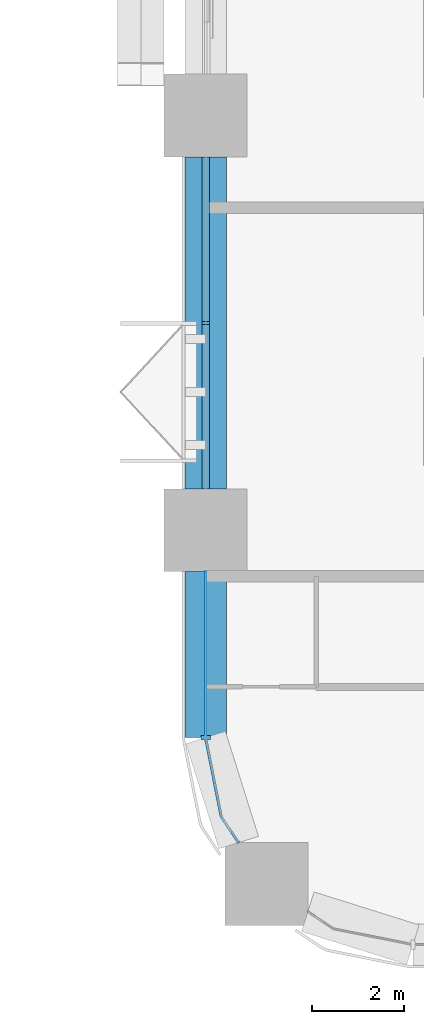
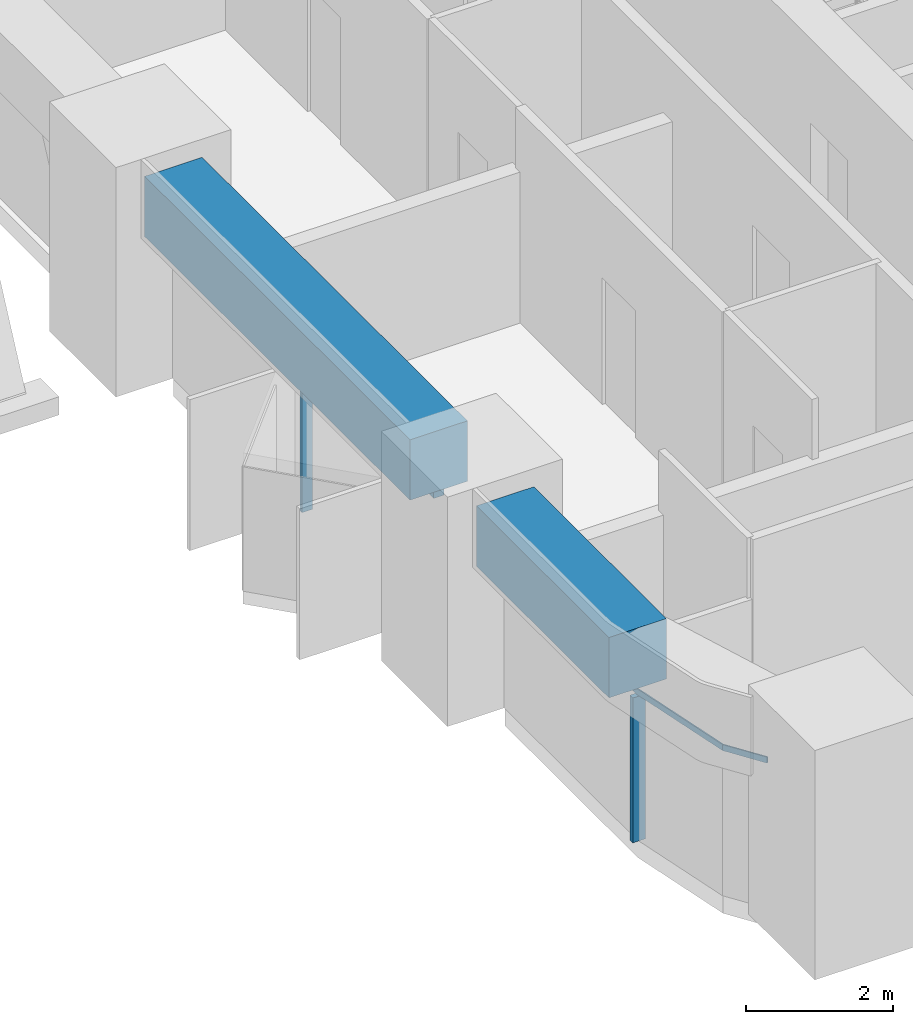
# One storey, part 2 of 19: 4 members, 2 beams, 2 elements without a shape of their own.
"""IFC4 building model written with IfcOpenShell, lengths in metres."""

from ifc_helpers import new_model, si_unit, direction, frame, origin, origin_2d, place, context, subcontext, project, spatial, polyline, rectangle, outline, extrude, material, material_profile, profile_set, type_object, element, aggregate, save


model = new_model("IFC4")

# Units and contexts
model_context = context("Model", 3, precision=1e-05, world=origin(), true_north=direction((0.0, 1.0)))
body_context = subcontext(model_context, "Body", "Model", "MODEL_VIEW")
ifc_project = project(units=[si_unit("LENGTHUNIT", "METRE"), si_unit("AREAUNIT", "SQUARE_METRE"), si_unit("VOLUMEUNIT", "CUBIC_METRE"), si_unit("PLANEANGLEUNIT", "RADIAN"), si_unit("MASSUNIT", "GRAM", prefix="KILO")], contexts=[model_context])

# Site, building, storey
site_placement = place(None, origin())
site = spatial("IfcSite", under=ifc_project, at=site_placement, CompositionType="ELEMENT")
building_placement = place(site_placement, origin())
building = spatial("IfcBuilding", under=site, at=building_placement, Name="Tessera Arch", CompositionType="ELEMENT")
storey_placement = place(building_placement, frame((0.0, 0.0, 108.199951171875)))
storey = spatial("IfcBuildingStorey", under=building, at=storey_placement, Name="L25", CompositionType="ELEMENT", Elevation=108.199951171875)

# Curtain wall, members
ifc_material_1 = material(Name="CW1 curtain wall")
curtain_wall_type_1 = type_object("IfcCurtainWallType", Name="CW1 curtain wall", PredefinedType="NOTDEFINED", material=ifc_material_1)
curtain_wall_1_placement = place(storey_placement, origin())
curtain_wall_1 = element("IfcCurtainWall", 1, at=curtain_wall_1_placement, inside=storey, type_object=curtain_wall_type_1, Name="CW1 curtain wall W27.0/1 L25", PredefinedType="NOTDEFINED")
ifc_material_2 = material(Name="Anodised aluminium pale metal", Category="aluminium")
ifc_material_profile_1 = material_profile(ifc_material_2, rectangle(XDim=0.159912109375, YDim=0.06005859375, at=origin_2d()), Name="AL 60x160")
ifc_profile_set_1 = profile_set([ifc_material_profile_1], Name="Anodised aluminium pale metal")
member_type_1 = type_object("IfcMemberType", Name="CW1 mullion", PredefinedType="MULLION", material=ifc_profile_set_1)
member_1_placement = place(storey_placement, frame((27.0, 13.5, 0.0), z_axis=(0.0, 0.0, 1.0), x_axis=(1.0, 0.0, 0.0)))
member_1 = element("IfcMember", 2, at=member_1_placement, type_object=member_type_1, Name="CW1 mullion W27.0/1 1", PredefinedType="MULLION", context=body_context, shape_type="SweptSolid", body=[
    extrude(rectangle(XDim=0.159912109375, YDim=0.06005859375, at=origin_2d()), origin(), (0.0, 0.0, 1.0), 2.400146484375),
])
ifc_material_3 = material(Name="Anodised aluminium pale metal", Category="aluminium")
ifc_material_profile_2 = material_profile(ifc_material_3, rectangle(XDim=0.159912109375, YDim=0.10009765625, at=origin_2d()), Name="AL 160x100")
ifc_profile_set_2 = profile_set([ifc_material_profile_2], Name="Anodised aluminium pale metal")
member_type_2 = type_object("IfcMemberType", Name="CW1 transom", PredefinedType="USERDEFINED", material=ifc_profile_set_2)
member_2_placement = place(storey_placement, frame((27.0, 17.10009765625, 2.449951171875), z_axis=(0.0, -1.0, 0.0), x_axis=(1.0, 0.0, 0.0)))
member_2 = element("IfcMember", 3, at=member_2_placement, type_object=member_type_2, Name="CW1 transom W27.0/1 1.1", ObjectType="TRANSOM", PredefinedType="USERDEFINED", context=body_context, shape_type="SweptSolid", body=[
    extrude(rectangle(XDim=0.159912109375, YDim=0.10009765625, at=origin_2d()), origin(), (0.0, 0.0, 1.0), 7.2001953125),
])
aggregate(curtain_wall_1, [member_1, member_2])

ifc_material_4 = material(Name="CW2 curtain wall")
curtain_wall_type_2 = type_object("IfcCurtainWallType", Name="CW2 curtain wall", PredefinedType="NOTDEFINED", material=ifc_material_4)
curtain_wall_2_placement = place(storey_placement, origin())
curtain_wall_2 = element("IfcCurtainWall", 4, at=curtain_wall_2_placement, inside=storey, type_object=curtain_wall_type_2, Name="CW2 curtain wall W27.0/2 L25", PredefinedType="NOTDEFINED")
ifc_material_5 = material(Name="Anodised aluminium pale metal", Category="aluminium")
ifc_material_profile_3 = material_profile(ifc_material_5, rectangle(XDim=0.199951171875, YDim=0.080078125, at=origin_2d()), Name="AL 80x200")
ifc_profile_set_3 = profile_set([ifc_material_profile_3], Name="Anodised aluminium pale metal")
member_type_3 = type_object("IfcMemberType", Name="CW2 mullion", PredefinedType="MULLION", material=ifc_profile_set_3)
member_3_placement = place(storey_placement, frame((27.0, 4.5, 0.0), z_axis=(0.0, 0.0, 1.0), x_axis=(1.0, 0.0, 0.0)))
member_3 = element("IfcMember", 5, at=member_3_placement, type_object=member_type_3, Name="CW2 mullion W27.0/2 1", PredefinedType="MULLION", context=body_context, shape_type="SweptSolid", body=[
    extrude(rectangle(XDim=0.199951171875, YDim=0.080078125, at=origin_2d()), origin(), (0.0, 0.0, 1.0), 2.400146484375),
])
ifc_material_6 = material(Name="Anodised aluminium pale metal", Category="aluminium")
ifc_material_profile_4 = material_profile(ifc_material_6, rectangle(XDim=0.199951171875, YDim=0.10009765625, at=origin_2d()), Name="AL 200x100")
ifc_profile_set_4 = profile_set([ifc_material_profile_4], Name="Anodised aluminium pale metal")
member_type_4 = type_object("IfcMemberType", Name="CW2 transom", PredefinedType="USERDEFINED", material=ifc_profile_set_4)
member_4_placement = place(storey_placement, frame((0.0, 0.0, 2.400146484375)))
member_4 = element("IfcMember", 6, at=member_4_placement, type_object=member_type_4, Name="CW2 transom W27.0/2 1", ObjectType="TRANSOM", PredefinedType="USERDEFINED", context=body_context, shape_type="SweptSolid", body=[
    extrude(outline(polyline([(27.010009765625, 4.5009765625), (27.010009765625, 8.10009765625), (26.989990234375, 8.10009765625), (26.989990234375, 4.4990234375), (27.3330078125, 2.77392578125), (27.70849609375, 2.21240234375), (27.72509765625, 2.2236328125), (27.351806640625, 2.78173828125), (27.010009765625, 4.5009765625)])), origin(), (0.0, 0.0, 1.0), 0.099853515625),
])
aggregate(curtain_wall_2, [member_3, member_4])

# Beams
ifc_material_7 = material(Name="Concrete C80/95", Category="concrete")
ifc_material_profile_5 = material_profile(ifc_material_7, rectangle(XDim=0.89990234375, YDim=1.0, at=origin_2d()), Name="RC spandrel beam 900 x 1000 Concrete C80/95")
ifc_profile_set_5 = profile_set([ifc_material_profile_5], Name="Concrete C80/95")
beam_type = type_object("IfcBeamType", Name="RC spandrel beam 900 x 1000 Concrete C80/95", PredefinedType="BEAM", material=ifc_profile_set_5)
beam_1_placement = place(storey_placement, frame((27.0, 17.10009765625, 3.0), z_axis=(0.0, -1.0, 0.0), x_axis=(1.0, 0.0, 0.0)))
element("IfcBeam", 7, at=beam_1_placement, inside=storey, type_object=beam_type, Name="Spandrel beam L25 W27.0/1", PredefinedType="BEAM", context=body_context, shape_type="SweptSolid", body=[
    extrude(rectangle(XDim=0.89990234375, YDim=1.0, at=origin_2d()), origin(), (0.0, 0.0, 1.0), 7.2001953125),
])
beam_2_placement = place(storey_placement, frame((27.0, 8.10009765625, 3.0), z_axis=(0.0, -1.0, 0.0), x_axis=(1.0, 0.0, 0.0)))
element("IfcBeam", 8, at=beam_2_placement, inside=storey, type_object=beam_type, Name="Spandrel beam L25 W27.0/2.1", PredefinedType="BEAM", context=body_context, shape_type="SweptSolid", body=[
    extrude(rectangle(XDim=0.89990234375, YDim=1.0, at=origin_2d()), origin(), (0.0, 0.0, 1.0), 3.60009765625),
])

save(model, "model.ifc")
